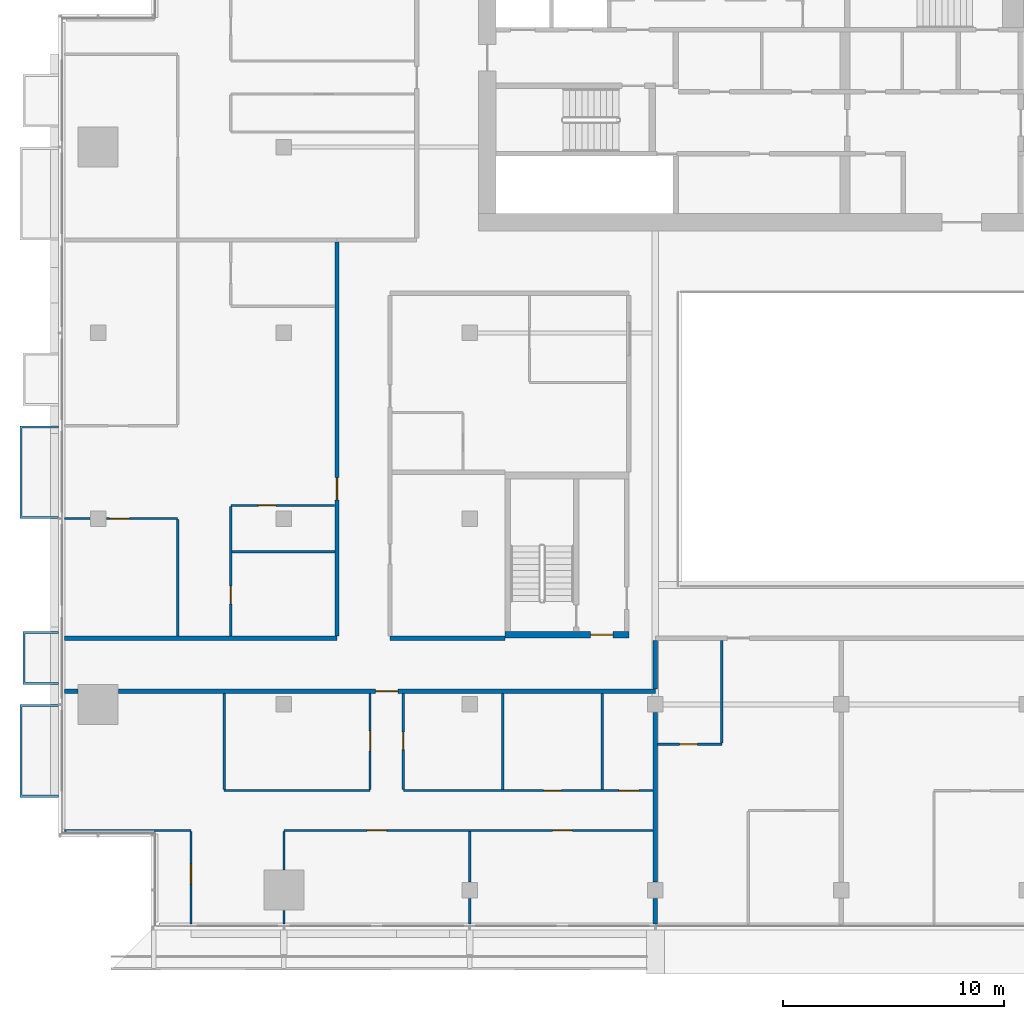
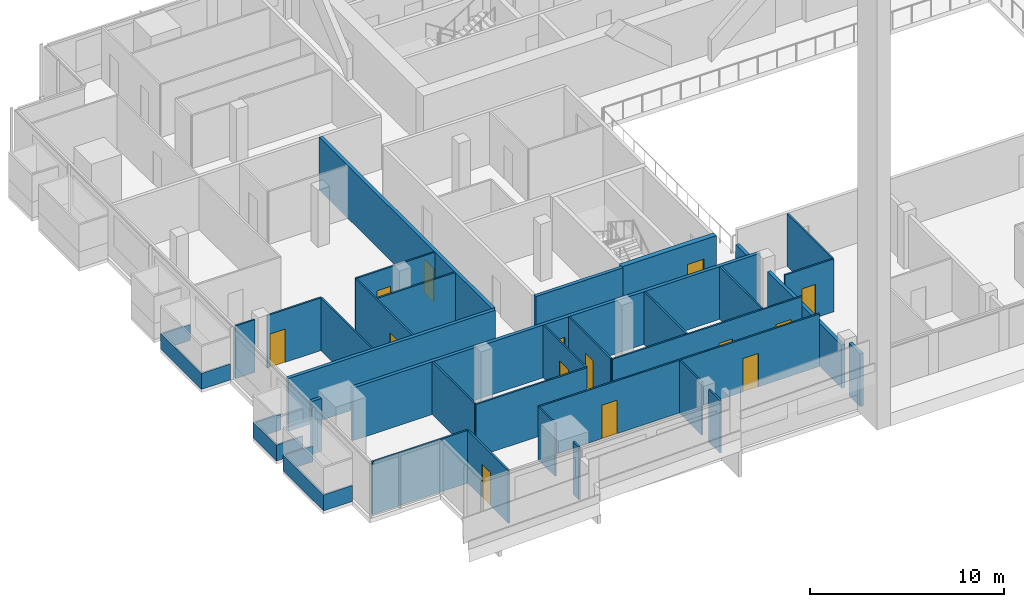
# One storey, part 18 of 31: 34 walls, 14 doors, 14 openings.
"""IFC4 building model written with IfcOpenShell, lengths in metres."""

from ifc_helpers import new_model, si_unit, direction, frame, frame_2d, origin, place, context, subcontext, project, spatial, polyline, rectangle, outline, extrude, material, layer, layer_set, type_object, element, fill, save


model = new_model("IFC4")

# Units and contexts
model_context = context("Model", 3, precision=1e-05, world=origin(), true_north=direction((0.0, 1.0)))
body_context = subcontext(model_context, "Body", "Model", "MODEL_VIEW")
ifc_project = project(units=[si_unit("LENGTHUNIT", "METRE"), si_unit("AREAUNIT", "SQUARE_METRE"), si_unit("VOLUMEUNIT", "CUBIC_METRE"), si_unit("PLANEANGLEUNIT", "RADIAN"), si_unit("MASSUNIT", "GRAM", prefix="KILO")], contexts=[model_context])

# Site, building, storey
site_placement = place(None, origin())
site = spatial("IfcSite", under=ifc_project, at=site_placement, CompositionType="ELEMENT")
building_placement = place(site_placement, origin())
building = spatial("IfcBuilding", under=site, at=building_placement, Name="Saffron Gate Tower", CompositionType="ELEMENT")
storey_placement = place(building_placement, frame((0.0, 0.0, 147.449951171875)))
storey = spatial("IfcBuildingStorey", under=building, at=storey_placement, Name="L35", CompositionType="ELEMENT", Elevation=147.449951171875)

# Wall, opening, door
ifc_material_1 = material(Name="Concrete C60", Category="concrete")
ifc_layer_1 = layer(ifc_material_1, 0.300048828125)
ifc_layer_set_1 = layer_set([ifc_layer_1], Name="CW17 RC core wall 300 C60")
wall_type_1 = type_object("IfcWallType", Name="CW17 RC core wall 300 C60", PredefinedType="SOLIDWALL", material=ifc_layer_set_1)
wall_1_placement = place(storey_placement, frame((68.199951171875, 43.35009765625, 0.0), z_axis=(0.0, 0.0, 1.0), x_axis=(1.0, 0.0, 0.0)))
wall_1 = element("IfcWall", 1, at=wall_1_placement, inside=storey, type_object=wall_type_1, Name="Wall CW17-L35-D-1", PredefinedType="SOLIDWALL", context=body_context, shape_type="SweptSolid", body=[
    extrude(rectangle(XDim=5.60009765625, YDim=0.300048828125, at=frame_2d((2.800048828125, 0.0))), origin(), (0.0, 0.0, 1.0), 3.320068359375),
])
opening_1_placement = place(wall_1_placement, frame((3.875, 0.0, 0.0)))
opening_1 = element("IfcOpeningElement", 2, at=opening_1_placement, cuts=wall_1, Name="Opening CR-18", PredefinedType="OPENING", context=body_context, shape_type="SweptSolid", body=[
    extrude(rectangle(XDim=1.0, YDim=2.10009765625, at=frame_2d((0.5, 1.050048828125))), frame((0.0, 0.16015625, 0.0), z_axis=(0.0, -1.0, 0.0), x_axis=(1.0, 0.0, 0.0)), (0.0, 0.0, 1.0), 0.320068359375),
])
ifc_material_2 = material(Name="Steel fire door set", Category="steel")
door_type_1 = type_object("IfcDoorType", Name="CD4 Lobby door 1000x2100 EI 120", OperationType="NOTDEFINED", PredefinedType="DOOR", material=ifc_material_2)
door_1_placement = place(opening_1_placement, origin())
door_1 = element("IfcDoor", 3, at=door_1_placement, inside=storey, type_object=door_type_1, Name="DOOR CR-18", OperationType="SINGLE_SWING_RIGHT", OverallHeight=2.10009765625, OverallWidth=1.0, PredefinedType="DOOR", context=body_context, shape_type="SweptSolid", body=[
    extrude(rectangle(XDim=1.0, YDim=2.10009765625, at=frame_2d((0.5, 1.050048828125))), frame((0.0, 0.02490234375, 0.0), z_axis=(0.0, -1.0, 0.0), x_axis=(1.0, 0.0, 0.0)), (0.0, 0.0, 1.0), 0.050048828125),
])
fill(opening_1, door_1)

# Wall
ifc_material_3 = material(Name="Plasterboard on steel studs", Category="steel")
ifc_layer_2 = layer(ifc_material_3, 0.10009765625)
ifc_layer_set_2 = layer_set([ifc_layer_2], Name="PW1 Partition 100")
wall_type_2 = type_object("IfcWallType", Name="PW1 Partition 100", PredefinedType="PARTITIONING", material=ifc_layer_set_2)
wall_2_placement = place(storey_placement, frame((48.280029296875, 34.5, 0.0), z_axis=(0.0, 0.0, 1.0), x_axis=(1.0, 0.0, 0.0)))
element("IfcWall", 4, at=wall_2_placement, inside=storey, type_object=wall_type_2, Name="Partition C1-1", PredefinedType="PARTITIONING", context=body_context, shape_type="SweptSolid", body=[
    extrude(rectangle(XDim=5.719970703125, YDim=0.10009765625, at=frame_2d((2.85986328125, 0.0))), origin(), (0.0, 0.0, 1.0), 3.320068359375),
])

# Wall, openings, doors
wall_3_placement = place(storey_placement, frame((74.89990234375, 34.5, 0.0), z_axis=(0.0, 0.0, 1.0), x_axis=(-1.0, 0.0, 0.0)))
wall_3 = element("IfcWall", 5, at=wall_3_placement, inside=storey, type_object=wall_type_2, Name="Partition C1-2", PredefinedType="PARTITIONING", context=body_context, shape_type="SweptSolid", body=[
    extrude(rectangle(XDim=16.699951171875, YDim=0.10009765625, at=frame_2d((8.35009765625, 0.0))), origin(), (0.0, 0.0, 1.0), 3.320068359375),
])
opening_2_placement = place(wall_3_placement, frame((3.64990234375, 0.0, 0.0)))
opening_2 = element("IfcOpeningElement", 6, at=opening_2_placement, cuts=wall_3, Name="Opening C1-13", PredefinedType="OPENING", context=body_context, shape_type="SweptSolid", body=[
    extrude(rectangle(XDim=0.89990234375, YDim=2.10009765625, at=frame_2d((0.449951171875, 1.050048828125))), frame((0.0, 0.06005859375, 0.0), z_axis=(0.0, -1.0, 0.0), x_axis=(1.0, 0.0, 0.0)), (0.0, 0.0, 1.0), 0.1201171875),
])
opening_3_placement = place(wall_3_placement, frame((12.050048828125, 0.0, 0.0)))
opening_3 = element("IfcOpeningElement", 7, at=opening_3_placement, cuts=wall_3, Name="Opening C1-12", PredefinedType="OPENING", context=body_context, shape_type="SweptSolid", body=[
    extrude(rectangle(XDim=0.89990234375, YDim=2.10009765625, at=frame_2d((0.449951171875, 1.050048828125))), frame((0.0, 0.06005859375, 0.0), z_axis=(0.0, -1.0, 0.0), x_axis=(1.0, 0.0, 0.0)), (0.0, 0.0, 1.0), 0.1201171875),
])
ifc_material_4 = material(Name="Timber door set", Category="wood")
door_type_2 = type_object("IfcDoorType", Name="RD1 Room door 900x2100", OperationType="NOTDEFINED", PredefinedType="DOOR", material=ifc_material_4)
door_2_placement = place(opening_2_placement, origin())
door_2 = element("IfcDoor", 8, at=door_2_placement, inside=storey, type_object=door_type_2, Name="Door C1-13", OperationType="SINGLE_SWING_LEFT", OverallHeight=2.10009765625, OverallWidth=0.89990234375, PredefinedType="DOOR", context=body_context, shape_type="SweptSolid", body=[
    extrude(rectangle(XDim=0.89990234375, YDim=2.10009765625, at=frame_2d((0.449951171875, 1.050048828125))), frame((0.0, 0.02490234375, 0.0), z_axis=(0.0, -1.0, 0.0), x_axis=(1.0, 0.0, 0.0)), (0.0, 0.0, 1.0), 0.050048828125),
])
fill(opening_2, door_2)
door_3_placement = place(opening_3_placement, origin())
door_3 = element("IfcDoor", 9, at=door_3_placement, inside=storey, type_object=door_type_2, Name="Door C1-12", OperationType="SINGLE_SWING_RIGHT", OverallHeight=2.10009765625, OverallWidth=0.89990234375, PredefinedType="DOOR", context=body_context, shape_type="SweptSolid", body=[
    extrude(rectangle(XDim=0.89990234375, YDim=2.10009765625, at=frame_2d((0.449951171875, 1.050048828125))), frame((0.0, 0.02490234375, 0.0), z_axis=(0.0, -1.0, 0.0), x_axis=(1.0, 0.0, 0.0)), (0.0, 0.0, 1.0), 0.050048828125),
])
fill(opening_3, door_3)

# Wall
wall_4_placement = place(storey_placement, frame((55.5, 36.300048828125, 0.0), z_axis=(0.0, 0.0, 1.0), x_axis=(1.0, 0.0, 0.0)))
element("IfcWall", 10, at=wall_4_placement, inside=storey, type_object=wall_type_2, Name="Partition C1-6", PredefinedType="PARTITIONING", context=body_context, shape_type="SweptSolid", body=[
    extrude(rectangle(XDim=6.60009765625, YDim=0.10009765625, at=frame_2d((3.300048828125, 0.0))), origin(), (0.0, 0.0, 1.0), 3.320068359375),
])

# Wall, openings, doors
wall_5_placement = place(storey_placement, frame((63.60009765625, 36.300048828125, 0.0), z_axis=(0.0, 0.0, 1.0), x_axis=(1.0, 0.0, 0.0)))
wall_5 = element("IfcWall", 11, at=wall_5_placement, inside=storey, type_object=wall_type_2, Name="Partition C1-7", PredefinedType="PARTITIONING", context=body_context, shape_type="SweptSolid", body=[
    extrude(rectangle(XDim=11.2998046875, YDim=0.10009765625, at=frame_2d((5.64990234375, 0.0))), origin(), (0.0, 0.0, 1.0), 3.320068359375),
])
opening_4_placement = place(wall_5_placement, frame((6.35009765625, 0.0, 0.0)))
opening_4 = element("IfcOpeningElement", 12, at=opening_4_placement, cuts=wall_5, Name="Opening C1-40", PredefinedType="OPENING", context=body_context, shape_type="SweptSolid", body=[
    extrude(rectangle(XDim=0.800048828125, YDim=2.10009765625, at=frame_2d((0.39990234375, 1.050048828125))), frame((0.0, 0.06005859375, 0.0), z_axis=(0.0, -1.0, 0.0), x_axis=(1.0, 0.0, 0.0)), (0.0, 0.0, 1.0), 0.1201171875),
])
opening_5_placement = place(wall_5_placement, frame((9.75, 0.0, 0.0)))
opening_5 = element("IfcOpeningElement", 13, at=opening_5_placement, cuts=wall_5, Name="Opening C1-15", PredefinedType="OPENING", context=body_context, shape_type="SweptSolid", body=[
    extrude(rectangle(XDim=0.89990234375, YDim=2.10009765625, at=frame_2d((0.449951171875, 1.050048828125))), frame((0.0, 0.06005859375, 0.0), z_axis=(0.0, -1.0, 0.0), x_axis=(1.0, 0.0, 0.0)), (0.0, 0.0, 1.0), 0.1201171875),
])
door_4_placement = place(opening_5_placement, origin())
door_4 = element("IfcDoor", 14, at=door_4_placement, inside=storey, type_object=door_type_2, Name="Door C1-15", OperationType="SINGLE_SWING_RIGHT", OverallHeight=2.10009765625, OverallWidth=0.89990234375, PredefinedType="DOOR", context=body_context, shape_type="SweptSolid", body=[
    extrude(rectangle(XDim=0.89990234375, YDim=2.10009765625, at=frame_2d((0.449951171875, 1.050048828125))), frame((0.0, 0.02490234375, 0.0), z_axis=(0.0, -1.0, 0.0), x_axis=(1.0, 0.0, 0.0)), (0.0, 0.0, 1.0), 0.050048828125),
])
fill(opening_5, door_4)
door_type_3 = type_object("IfcDoorType", Name="RD2 Bathroom door 800x2100", OperationType="NOTDEFINED", PredefinedType="DOOR", material=ifc_material_4)
door_5_placement = place(opening_4_placement, origin())
door_5 = element("IfcDoor", 15, at=door_5_placement, inside=storey, type_object=door_type_3, Name="Door C1-40", OperationType="SINGLE_SWING_RIGHT", OverallHeight=2.10009765625, OverallWidth=0.800048828125, PredefinedType="DOOR", context=body_context, shape_type="SweptSolid", body=[
    extrude(rectangle(XDim=0.800048828125, YDim=2.10009765625, at=frame_2d((0.39990234375, 1.050048828125))), frame((0.0, 0.02490234375, 0.0), z_axis=(0.0, -1.0, 0.0), x_axis=(1.0, 0.0, 0.0)), (0.0, 0.0, 1.0), 0.050048828125),
])
fill(opening_4, door_5)

# Wall, opening, door
wall_6_placement = place(storey_placement, frame((75.10009765625, 38.39990234375, 0.0), z_axis=(0.0, 0.0, 1.0), x_axis=(1.0, 0.0, 0.0)))
wall_6 = element("IfcWall", 16, at=wall_6_placement, inside=storey, type_object=wall_type_2, Name="Partition C1-9", PredefinedType="PARTITIONING", context=body_context, shape_type="SweptSolid", body=[
    extrude(rectangle(XDim=2.89990234375, YDim=0.10009765625, at=frame_2d((1.449951171875, 0.0))), origin(), (0.0, 0.0, 1.0), 3.320068359375),
])
opening_6_placement = place(wall_6_placement, frame((1.0, 0.0, 0.0)))
opening_6 = element("IfcOpeningElement", 17, at=opening_6_placement, cuts=wall_6, Name="Opening C1-41", PredefinedType="OPENING", context=body_context, shape_type="SweptSolid", body=[
    extrude(rectangle(XDim=0.800048828125, YDim=2.10009765625, at=frame_2d((0.39990234375, 1.050048828125))), frame((0.0, 0.06005859375, 0.0), z_axis=(0.0, -1.0, 0.0), x_axis=(1.0, 0.0, 0.0)), (0.0, 0.0, 1.0), 0.1201171875),
])
door_6_placement = place(opening_6_placement, origin())
door_6 = element("IfcDoor", 18, at=door_6_placement, inside=storey, type_object=door_type_3, Name="Door C1-41", OperationType="SINGLE_SWING_LEFT", OverallHeight=2.10009765625, OverallWidth=0.800048828125, PredefinedType="DOOR", context=body_context, shape_type="SweptSolid", body=[
    extrude(rectangle(XDim=0.800048828125, YDim=2.10009765625, at=frame_2d((0.39990234375, 1.050048828125))), frame((0.0, 0.02490234375, 0.0), z_axis=(0.0, -1.0, 0.0), x_axis=(1.0, 0.0, 0.0)), (0.0, 0.0, 1.0), 0.050048828125),
])
fill(opening_6, door_6)

# Walls
wall_7_placement = place(storey_placement, frame((55.85009765625, 47.10009765625, 0.0), z_axis=(0.0, 0.0, 1.0), x_axis=(1.0, 0.0, 0.0)))
element("IfcWall", 19, at=wall_7_placement, inside=storey, type_object=wall_type_2, Name="Partition C1-20", PredefinedType="PARTITIONING", context=body_context, shape_type="SweptSolid", body=[
    extrude(rectangle(XDim=4.64990234375, YDim=0.10009765625, at=frame_2d((2.324951171875, 0.0))), origin(), (0.0, 0.0, 1.0), 3.320068359375),
])
wall_8_placement = place(storey_placement, frame((48.280029296875, 48.60009765625, 0.0), z_axis=(0.0, 0.0, 1.0), x_axis=(1.0, 0.0, 0.0)))
element("IfcWall", 20, at=wall_8_placement, inside=storey, type_object=wall_type_2, Name="Partition C1-21", PredefinedType="PARTITIONING", context=body_context, shape_type="SweptSolid", body=[
    extrude(rectangle(XDim=1.14990234375, YDim=0.10009765625, at=frame_2d((0.574951171875, 0.0))), origin(), (0.0, 0.0, 1.0), 3.320068359375),
])

# Wall, opening, door
wall_9_placement = place(storey_placement, frame((53.39990234375, 48.60009765625, 0.0), z_axis=(0.0, 0.0, 1.0), x_axis=(-1.0, 0.0, 0.0)))
wall_9 = element("IfcWall", 21, at=wall_9_placement, inside=storey, type_object=wall_type_2, Name="Partition C1-22", PredefinedType="PARTITIONING", context=body_context, shape_type="SweptSolid", body=[
    extrude(rectangle(XDim=3.22998046875, YDim=0.10009765625, at=frame_2d((1.614990234375, 0.0))), origin(), (0.0, 0.0, 1.0), 3.320068359375),
])
opening_7_placement = place(wall_9_placement, frame((2.179931640625, 0.0, 0.0)))
opening_7 = element("IfcOpeningElement", 22, at=opening_7_placement, cuts=wall_9, Name="Opening C1-25", PredefinedType="OPENING", context=body_context, shape_type="SweptSolid", body=[
    extrude(rectangle(XDim=0.89990234375, YDim=2.10009765625, at=frame_2d((0.449951171875, 1.050048828125))), frame((0.0, 0.06005859375, 0.0), z_axis=(0.0, -1.0, 0.0), x_axis=(1.0, 0.0, 0.0)), (0.0, 0.0, 1.0), 0.1201171875),
])
door_7_placement = place(opening_7_placement, origin())
door_7 = element("IfcDoor", 23, at=door_7_placement, inside=storey, type_object=door_type_2, Name="Door C1-25", OperationType="SINGLE_SWING_RIGHT", OverallHeight=2.10009765625, OverallWidth=0.89990234375, PredefinedType="DOOR", context=body_context, shape_type="SweptSolid", body=[
    extrude(rectangle(XDim=0.89990234375, YDim=2.10009765625, at=frame_2d((0.449951171875, 1.050048828125))), frame((0.0, 0.02490234375, 0.0), z_axis=(0.0, -1.0, 0.0), x_axis=(1.0, 0.0, 0.0)), (0.0, 0.0, 1.0), 0.050048828125),
])
fill(opening_7, door_7)

wall_10_placement = place(storey_placement, frame((60.5, 49.199951171875, 0.0), z_axis=(0.0, 0.0, 1.0), x_axis=(-1.0, 0.0, 0.0)))
wall_10 = element("IfcWall", 24, at=wall_10_placement, inside=storey, type_object=wall_type_2, Name="Partition C1-25", PredefinedType="PARTITIONING", context=body_context, shape_type="SweptSolid", body=[
    extrude(rectangle(XDim=4.699951171875, YDim=0.10009765625, at=frame_2d((2.35009765625, 0.0))), origin(), (0.0, 0.0, 1.0), 3.320068359375),
])
opening_8_placement = place(wall_10_placement, frame((2.64990234375, 0.0, 0.0)))
opening_8 = element("IfcOpeningElement", 25, at=opening_8_placement, cuts=wall_10, Name="Opening C1-47", PredefinedType="OPENING", context=body_context, shape_type="SweptSolid", body=[
    extrude(rectangle(XDim=0.800048828125, YDim=2.10009765625, at=frame_2d((0.39990234375, 1.050048828125))), frame((0.0, 0.06005859375, 0.0), z_axis=(0.0, -1.0, 0.0), x_axis=(1.0, 0.0, 0.0)), (0.0, 0.0, 1.0), 0.1201171875),
])
door_8_placement = place(opening_8_placement, origin())
door_8 = element("IfcDoor", 26, at=door_8_placement, inside=storey, type_object=door_type_3, Name="Door C1-47", OperationType="SINGLE_SWING_RIGHT", OverallHeight=2.10009765625, OverallWidth=0.800048828125, PredefinedType="DOOR", context=body_context, shape_type="SweptSolid", body=[
    extrude(rectangle(XDim=0.800048828125, YDim=2.10009765625, at=frame_2d((0.39990234375, 1.050048828125))), frame((0.0, 0.02490234375, 0.0), z_axis=(0.0, -1.0, 0.0), x_axis=(1.0, 0.0, 0.0)), (0.0, 0.0, 1.0), 0.050048828125),
])
fill(opening_8, door_8)

# Wall
wall_11_placement = place(storey_placement, frame((53.39990234375, 48.550048828125, 0.0), z_axis=(0.0, 0.0, 1.0), x_axis=(0.0, -1.0, 0.0)))
element("IfcWall", 27, at=wall_11_placement, inside=storey, type_object=wall_type_2, Name="Partition C1-57", PredefinedType="PARTITIONING", context=body_context, shape_type="SweptSolid", body=[
    extrude(rectangle(XDim=5.25, YDim=0.10009765625, at=frame_2d((2.625, 0.0))), origin(), (0.0, 0.0, 1.0), 3.320068359375),
])

# Wall, opening, door
wall_12_placement = place(storey_placement, frame((54.0, 30.280029296875, 0.0), z_axis=(0.0, 0.0, 1.0), x_axis=(0.0, 1.0, 0.0)))
wall_12 = element("IfcWall", 28, at=wall_12_placement, inside=storey, type_object=wall_type_2, Name="Partition C1-58", PredefinedType="PARTITIONING", context=body_context, shape_type="SweptSolid", body=[
    extrude(rectangle(XDim=4.169921875, YDim=0.10009765625, at=frame_2d((2.0849609375, 0.0))), origin(), (0.0, 0.0, 1.0), 3.320068359375),
])
opening_9_placement = place(wall_12_placement, frame((1.802734375, 0.0, 0.0)))
opening_9 = element("IfcOpeningElement", 29, at=opening_9_placement, cuts=wall_12, Name="Opening C1-11", PredefinedType="OPENING", context=body_context, shape_type="SweptSolid", body=[
    extrude(rectangle(XDim=0.89990234375, YDim=2.10009765625, at=frame_2d((0.449951171875, 1.050048828125))), frame((0.0, 0.06005859375, 0.0), z_axis=(0.0, -1.0, 0.0), x_axis=(1.0, 0.0, 0.0)), (0.0, 0.0, 1.0), 0.1201171875),
])
door_9_placement = place(opening_9_placement, origin())
door_9 = element("IfcDoor", 30, at=door_9_placement, inside=storey, type_object=door_type_2, Name="Door C1-11", OperationType="SINGLE_SWING_RIGHT", OverallHeight=2.10009765625, OverallWidth=0.89990234375, PredefinedType="DOOR", context=body_context, shape_type="SweptSolid", body=[
    extrude(rectangle(XDim=0.89990234375, YDim=2.10009765625, at=frame_2d((0.449951171875, 1.050048828125))), frame((0.0, 0.02490234375, 0.0), z_axis=(0.0, -1.0, 0.0), x_axis=(1.0, 0.0, 0.0)), (0.0, 0.0, 1.0), 0.050048828125),
])
fill(opening_9, door_9)

# Wall
wall_13_placement = place(storey_placement, frame((55.5, 40.699951171875, 0.0), z_axis=(0.0, 0.0, 1.0), x_axis=(0.0, -1.0, 0.0)))
element("IfcWall", 31, at=wall_13_placement, inside=storey, type_object=wall_type_2, Name="Partition C1-59", PredefinedType="PARTITIONING", context=body_context, shape_type="SweptSolid", body=[
    extrude(rectangle(XDim=4.349853515625, YDim=0.10009765625, at=frame_2d((2.1748046875, 0.0))), origin(), (0.0, 0.0, 1.0), 3.320068359375),
])

# Wall, opening, door
wall_14_placement = place(storey_placement, frame((55.800048828125, 49.14990234375, 0.0), z_axis=(0.0, 0.0, 1.0), x_axis=(0.0, -1.0, 0.0)))
wall_14 = element("IfcWall", 32, at=wall_14_placement, inside=storey, type_object=wall_type_2, Name="Partition C1-60", PredefinedType="PARTITIONING", context=body_context, shape_type="SweptSolid", body=[
    extrude(rectangle(XDim=5.849853515625, YDim=0.10009765625, at=frame_2d((2.9248046875, 0.0))), origin(), (0.0, 0.0, 1.0), 3.320068359375),
])
opening_10_placement = place(wall_14_placement, frame((3.60009765625, 0.0, 0.0)))
opening_10 = element("IfcOpeningElement", 33, at=opening_10_placement, cuts=wall_14, Name="Opening C1-46", PredefinedType="OPENING", context=body_context, shape_type="SweptSolid", body=[
    extrude(rectangle(XDim=0.800048828125, YDim=2.10009765625, at=frame_2d((0.39990234375, 1.050048828125))), frame((0.0, 0.06005859375, 0.0), z_axis=(0.0, -1.0, 0.0), x_axis=(1.0, 0.0, 0.0)), (0.0, 0.0, 1.0), 0.1201171875),
])
door_10_placement = place(opening_10_placement, origin())
door_10 = element("IfcDoor", 34, at=door_10_placement, inside=storey, type_object=door_type_3, Name="Door C1-46", OperationType="SINGLE_SWING_RIGHT", OverallHeight=2.10009765625, OverallWidth=0.800048828125, PredefinedType="DOOR", context=body_context, shape_type="SweptSolid", body=[
    extrude(rectangle(XDim=0.800048828125, YDim=2.10009765625, at=frame_2d((0.39990234375, 1.050048828125))), frame((0.0, 0.02490234375, 0.0), z_axis=(0.0, -1.0, 0.0), x_axis=(1.0, 0.0, 0.0)), (0.0, 0.0, 1.0), 0.050048828125),
])
fill(opening_10, door_10)

# Walls
wall_15_placement = place(storey_placement, frame((58.199951171875, 30.8798828125, 0.0), z_axis=(0.0, 0.0, 1.0), x_axis=(0.0, -1.0, 0.0)))
element("IfcWall", 35, at=wall_15_placement, inside=storey, type_object=wall_type_2, Name="Partition C1-64", PredefinedType="PARTITIONING", context=body_context, shape_type="SweptSolid", body=[
    extrude(rectangle(XDim=0.599853515625, YDim=0.10009765625, at=frame_2d((0.2998046875, 0.0))), origin(), (0.0, 0.0, 1.0), 3.320068359375),
])
wall_16_placement = place(storey_placement, frame((58.199951171875, 34.449951171875, 0.0), z_axis=(0.0, 0.0, 1.0), x_axis=(0.0, -1.0, 0.0)))
element("IfcWall", 36, at=wall_16_placement, inside=storey, type_object=wall_type_2, Name="Partition C1-65", PredefinedType="PARTITIONING", context=body_context, shape_type="SweptSolid", body=[
    extrude(rectangle(XDim=1.72998046875, YDim=0.10009765625, at=frame_2d((0.864990234375, 0.0))), origin(), (0.0, 0.0, 1.0), 3.320068359375),
])

# Wall, opening, door
wall_17_placement = place(storey_placement, frame((62.10009765625, 36.35009765625, 0.0), z_axis=(0.0, 0.0, 1.0), x_axis=(0.0, 1.0, 0.0)))
wall_17 = element("IfcWall", 37, at=wall_17_placement, inside=storey, type_object=wall_type_2, Name="Partition C1-67", PredefinedType="PARTITIONING", context=body_context, shape_type="SweptSolid", body=[
    extrude(rectangle(XDim=4.349853515625, YDim=0.10009765625, at=frame_2d((2.1748046875, 0.0))), origin(), (0.0, 0.0, 1.0), 3.320068359375),
])
opening_11_placement = place(wall_17_placement, frame((1.75, 0.0, 0.0)))
opening_11 = element("IfcOpeningElement", 38, at=opening_11_placement, cuts=wall_17, Name="Opening C1-14", PredefinedType="OPENING", context=body_context, shape_type="SweptSolid", body=[
    extrude(rectangle(XDim=0.89990234375, YDim=2.10009765625, at=frame_2d((0.449951171875, 1.050048828125))), frame((0.0, 0.06005859375, 0.0), z_axis=(0.0, -1.0, 0.0), x_axis=(1.0, 0.0, 0.0)), (0.0, 0.0, 1.0), 0.1201171875),
])
door_11_placement = place(opening_11_placement, origin())
door_11 = element("IfcDoor", 39, at=door_11_placement, inside=storey, type_object=door_type_2, Name="Door C1-14", OperationType="SINGLE_SWING_RIGHT", OverallHeight=2.10009765625, OverallWidth=0.89990234375, PredefinedType="DOOR", context=body_context, shape_type="SweptSolid", body=[
    extrude(rectangle(XDim=0.89990234375, YDim=2.10009765625, at=frame_2d((0.449951171875, 1.050048828125))), frame((0.0, 0.02490234375, 0.0), z_axis=(0.0, -1.0, 0.0), x_axis=(1.0, 0.0, 0.0)), (0.0, 0.0, 1.0), 0.050048828125),
])
fill(opening_11, door_11)

wall_18_placement = place(storey_placement, frame((63.60009765625, 40.699951171875, 0.0), z_axis=(0.0, 0.0, 1.0), x_axis=(0.0, -1.0, 0.0)))
wall_18 = element("IfcWall", 40, at=wall_18_placement, inside=storey, type_object=wall_type_2, Name="Partition C1-69", PredefinedType="PARTITIONING", context=body_context, shape_type="SweptSolid", body=[
    extrude(rectangle(XDim=4.349853515625, YDim=0.10009765625, at=frame_2d((2.1748046875, 0.0))), origin(), (0.0, 0.0, 1.0), 3.320068359375),
])
opening_12_placement = place(wall_18_placement, frame((1.75, 0.0, 0.0)))
opening_12 = element("IfcOpeningElement", 41, at=opening_12_placement, cuts=wall_18, Name="Opening C1-39", PredefinedType="OPENING", context=body_context, shape_type="SweptSolid", body=[
    extrude(rectangle(XDim=0.800048828125, YDim=2.10009765625, at=frame_2d((0.39990234375, 1.050048828125))), frame((0.0, 0.06005859375, 0.0), z_axis=(0.0, -1.0, 0.0), x_axis=(1.0, 0.0, 0.0)), (0.0, 0.0, 1.0), 0.1201171875),
])
door_12_placement = place(opening_12_placement, origin())
door_12 = element("IfcDoor", 42, at=door_12_placement, inside=storey, type_object=door_type_3, Name="Door C1-39", OperationType="SINGLE_SWING_LEFT", OverallHeight=2.10009765625, OverallWidth=0.800048828125, PredefinedType="DOOR", context=body_context, shape_type="SweptSolid", body=[
    extrude(rectangle(XDim=0.800048828125, YDim=2.10009765625, at=frame_2d((0.39990234375, 1.050048828125))), frame((0.0, 0.02490234375, 0.0), z_axis=(0.0, -1.0, 0.0), x_axis=(1.0, 0.0, 0.0)), (0.0, 0.0, 1.0), 0.050048828125),
])
fill(opening_12, door_12)

# Walls
wall_19_placement = place(storey_placement, frame((66.60009765625, 31.429931640625, 0.0), z_axis=(0.0, 0.0, 1.0), x_axis=(0.0, -1.0, 0.0)))
element("IfcWall", 43, at=wall_19_placement, inside=storey, type_object=wall_type_2, Name="Partition C1-72", PredefinedType="PARTITIONING", context=body_context, shape_type="SweptSolid", body=[
    extrude(rectangle(XDim=1.14990234375, YDim=0.10009765625, at=frame_2d((0.574951171875, 0.0))), origin(), (0.0, 0.0, 1.0), 3.320068359375),
])
wall_20_placement = place(storey_placement, frame((66.60009765625, 34.449951171875, 0.0), z_axis=(0.0, 0.0, 1.0), x_axis=(0.0, -1.0, 0.0)))
element("IfcWall", 44, at=wall_20_placement, inside=storey, type_object=wall_type_2, Name="Partition C1-73", PredefinedType="PARTITIONING", context=body_context, shape_type="SweptSolid", body=[
    extrude(rectangle(XDim=2.280029296875, YDim=0.10009765625, at=frame_2d((1.14013671875, 0.0))), origin(), (0.0, 0.0, 1.0), 3.320068359375),
])
for number, where, z_axis, x_axis, name in (
    (45, (68.10009765625, 40.699951171875, 0.0), (0.0, 0.0, 1.0), (0.0, -1.0, 0.0), "Partition C1-74"),
    (46, (72.60009765625, 40.699951171875, 0.0), (0.0, 0.0, 1.0), (0.0, -1.0, 0.0), "Partition C1-76"),
):
    element("IfcWall", number, at=place(storey_placement, frame(where, z_axis=z_axis, x_axis=x_axis)), inside=storey, type_object=wall_type_2, Name=name, PredefinedType="PARTITIONING", context=body_context, shape_type="SweptSolid", body=[
        extrude(rectangle(XDim=4.349853515625, YDim=0.10009765625, at=frame_2d((2.1748046875, 0.0))), origin(), (0.0, 0.0, 1.0), 3.320068359375),
    ])
wall_21_placement = place(storey_placement, frame((78.0, 43.10009765625, 0.0), z_axis=(0.0, 0.0, 1.0), x_axis=(0.0, -1.0, 0.0)))
element("IfcWall", 47, at=wall_21_placement, inside=storey, type_object=wall_type_2, Name="Partition C1-81", PredefinedType="PARTITIONING", context=body_context, shape_type="SweptSolid", body=[
    extrude(rectangle(XDim=4.650146484375, YDim=0.10009765625, at=frame_2d((2.3251953125, 0.0))), origin(), (0.0, 0.0, 1.0), 3.320068359375),
])
ifc_material_5 = material(Name="Clay brick masonry, rendered", Category="masonry")
ifc_layer_3 = layer(ifc_material_5, 0.199951171875)
ifc_layer_set_3 = layer_set([ifc_layer_3], Name="PW2 Demising wall 200")
wall_type_3 = type_object("IfcWallType", Name="PW2 Demising wall 200", PredefinedType="PARTITIONING", material=ifc_layer_set_3)
wall_22_placement = place(storey_placement, frame((75.0, 31.429931640625, 0.0), z_axis=(0.0, 0.0, 1.0), x_axis=(0.0, -1.0, 0.0)))
element("IfcWall", 48, at=wall_22_placement, inside=storey, type_object=wall_type_3, Name="Wall C1-79", PredefinedType="PARTITIONING", context=body_context, shape_type="SweptSolid", body=[
    extrude(rectangle(XDim=1.14990234375, YDim=0.199951171875, at=frame_2d((0.574951171875, 0.0))), origin(), (0.0, 0.0, 1.0), 3.320068359375),
])
wall_23_placement = place(storey_placement, frame((75.0, 39.830078125, 0.0), z_axis=(0.0, 0.0, 1.0), x_axis=(0.0, -1.0, 0.0)))
element("IfcWall", 49, at=wall_23_placement, inside=storey, type_object=wall_type_3, Name="Wall C1-80", PredefinedType="PARTITIONING", context=body_context, shape_type="SweptSolid", body=[
    extrude(rectangle(XDim=7.66015625, YDim=0.199951171875, at=frame_2d((3.830078125, 0.0))), origin(), (0.0, 0.0, 1.0), 2.719970703125),
])
ifc_layer_4 = layer(ifc_material_5, 0.199951171875)
ifc_layer_set_4 = layer_set([ifc_layer_4], Name="PW3 Corridor wall 200")
wall_type_4 = type_object("IfcWallType", Name="PW3 Corridor wall 200", PredefinedType="PARTITIONING", material=ifc_layer_set_4)
wall_24_placement = place(storey_placement, frame((48.280029296875, 40.800048828125, 0.0), z_axis=(0.0, 0.0, 1.0), x_axis=(1.0, 0.0, 0.0)))
element("IfcWall", 50, at=wall_24_placement, inside=storey, type_object=wall_type_4, Name="Wall C1-11", PredefinedType="PARTITIONING", context=body_context, shape_type="SweptSolid", body=[
    extrude(rectangle(XDim=0.599853515625, YDim=0.199951171875, at=frame_2d((0.2998046875, 0.0))), origin(), (0.0, 0.0, 1.0), 3.320068359375),
])

# Wall, opening, door
wall_25_placement = place(storey_placement, frame((75.0, 40.800048828125, 0.0), z_axis=(0.0, 0.0, 1.0), x_axis=(-1.0, 0.0, 0.0)))
wall_25 = element("IfcWall", 51, at=wall_25_placement, inside=storey, type_object=wall_type_4, Name="Wall C1-12", PredefinedType="PARTITIONING", context=body_context, shape_type="SweptSolid", body=[
    extrude(rectangle(XDim=24.280029296875, YDim=0.199951171875, at=frame_2d((12.14013671875, 0.0))), origin(), (0.0, 0.0, 1.0), 3.320068359375),
])
opening_13_placement = place(wall_25_placement, frame((11.64990234375, 0.0, 0.0)))
opening_13 = element("IfcOpeningElement", 52, at=opening_13_placement, cuts=wall_25, Name="Opening C1-1", PredefinedType="OPENING", context=body_context, shape_type="SweptSolid", body=[
    extrude(rectangle(XDim=1.0, YDim=2.10009765625, at=frame_2d((0.5, 1.050048828125))), frame((0.0, 0.10986328125, 0.0), z_axis=(0.0, -1.0, 0.0), x_axis=(1.0, 0.0, 0.0)), (0.0, 0.0, 1.0), 0.219970703125),
])
ifc_material_6 = material(Name="Timber fire door set", Category="wood")
door_type_4 = type_object("IfcDoorType", Name="FD1 Flat entry door 1000x2100", OperationType="NOTDEFINED", PredefinedType="DOOR", material=ifc_material_6)
door_13_placement = place(opening_13_placement, origin())
door_13 = element("IfcDoor", 53, at=door_13_placement, inside=storey, type_object=door_type_4, Name="Door C1-1", OperationType="SINGLE_SWING_LEFT", OverallHeight=2.10009765625, OverallWidth=1.0, PredefinedType="DOOR", context=body_context, shape_type="SweptSolid", body=[
    extrude(rectangle(XDim=1.0, YDim=2.10009765625, at=frame_2d((0.5, 1.050048828125))), frame((0.0, 0.02490234375, 0.0), z_axis=(0.0, -1.0, 0.0), x_axis=(1.0, 0.0, 0.0)), (0.0, 0.0, 1.0), 0.050048828125),
])
fill(opening_13, door_13)

# Walls
wall_26_placement = place(storey_placement, frame((48.280029296875, 43.199951171875, 0.0), z_axis=(0.0, 0.0, 1.0), x_axis=(1.0, 0.0, 0.0)))
element("IfcWall", 54, at=wall_26_placement, inside=storey, type_object=wall_type_4, Name="Wall C1-15", PredefinedType="PARTITIONING", context=body_context, shape_type="SweptSolid", body=[
    extrude(rectangle(XDim=12.320068359375, YDim=0.199951171875, at=frame_2d((6.16015625, 0.0))), origin(), (0.0, 0.0, 1.0), 3.320068359375),
])
wall_27_placement = place(storey_placement, frame((63.0, 43.199951171875, 0.0), z_axis=(0.0, 0.0, 1.0), x_axis=(1.0, 0.0, 0.0)))
element("IfcWall", 55, at=wall_27_placement, inside=storey, type_object=wall_type_4, Name="Wall C1-16", PredefinedType="PARTITIONING", context=body_context, shape_type="SweptSolid", body=[
    extrude(rectangle(XDim=5.199951171875, YDim=0.199951171875, at=frame_2d((2.60009765625, 0.0))), origin(), (0.0, 0.0, 1.0), 3.320068359375),
])

# Wall, opening, door
wall_28_placement = place(storey_placement, frame((60.60009765625, 43.300048828125, 0.0), z_axis=(0.0, 0.0, 1.0), x_axis=(0.0, 1.0, 0.0)))
wall_28 = element("IfcWall", 56, at=wall_28_placement, inside=storey, type_object=wall_type_4, Name="Wall C1-66", PredefinedType="PARTITIONING", context=body_context, shape_type="SweptSolid", body=[
    extrude(rectangle(XDim=17.800048828125, YDim=0.199951171875, at=frame_2d((8.89990234375, 0.0))), origin(), (0.0, 0.0, 1.0), 3.320068359375),
])
opening_14_placement = place(wall_28_placement, frame((6.14990234375, 0.0, 0.0)))
opening_14 = element("IfcOpeningElement", 57, at=opening_14_placement, cuts=wall_28, Name="Opening C1-5", PredefinedType="OPENING", context=body_context, shape_type="SweptSolid", body=[
    extrude(rectangle(XDim=1.0, YDim=2.10009765625, at=frame_2d((0.5, 1.050048828125))), frame((0.0, 0.10986328125, 0.0), z_axis=(0.0, -1.0, 0.0), x_axis=(1.0, 0.0, 0.0)), (0.0, 0.0, 1.0), 0.219970703125),
])
door_14_placement = place(opening_14_placement, origin())
door_14 = element("IfcDoor", 58, at=door_14_placement, inside=storey, type_object=door_type_4, Name="Door C1-5", OperationType="SINGLE_SWING_RIGHT", OverallHeight=2.10009765625, OverallWidth=1.0, PredefinedType="DOOR", context=body_context, shape_type="SweptSolid", body=[
    extrude(rectangle(XDim=1.0, YDim=2.10009765625, at=frame_2d((0.5, 1.050048828125))), frame((0.0, 0.02490234375, 0.0), z_axis=(0.0, -1.0, 0.0), x_axis=(1.0, 0.0, 0.0)), (0.0, 0.0, 1.0), 0.050048828125),
])
fill(opening_14, door_14)

# Walls
wall_29_placement = place(storey_placement, frame((75.0, 43.10009765625, 0.0), z_axis=(0.0, 0.0, 1.0), x_axis=(0.0, -1.0, 0.0)))
element("IfcWall", 59, at=wall_29_placement, inside=storey, type_object=wall_type_4, Name="Wall C1-78", PredefinedType="PARTITIONING", context=body_context, shape_type="SweptSolid", body=[
    extrude(rectangle(XDim=2.2001953125, YDim=0.199951171875, at=frame_2d((1.10009765625, 0.0))), origin(), (0.0, 0.0, 1.0), 2.429931640625),
])
ifc_material_7 = material(Name="Rendered insulated panel, white")
ifc_layer_5 = layer(ifc_material_7, 0.10009765625)
ifc_layer_set_5 = layer_set([ifc_layer_5], Name="WB3 box parapet white")
wall_type_5 = type_object("IfcWallType", Name="WB3 box parapet white", PredefinedType="SOLIDWALL", material=ifc_layer_set_5)
wall_30_placement = place(storey_placement, origin())
element("IfcWall", 60, at=wall_30_placement, inside=storey, type_object=wall_type_5, Name="WINDOW BOX parapet", PredefinedType="SOLIDWALL", context=body_context, shape_type="SweptSolid", body=[
    extrude(outline(polyline([(48.0, 52.800048828125), (48.0, 52.699951171875), (46.366943359375, 52.699951171875), (46.366943359375, 48.699951171875), (48.0, 48.699951171875), (48.0, 48.60009765625), (46.26708984375, 48.60009765625), (46.26708984375, 52.800048828125), (48.0, 52.800048828125)])), origin(), (0.0, 0.0, 1.0), 1.0),
])
wall_31_placement = place(storey_placement, origin())
element("IfcWall", 61, at=wall_31_placement, inside=storey, type_object=wall_type_5, Name="WINDOW BOX parapet", PredefinedType="SOLIDWALL", context=body_context, shape_type="SweptSolid", body=[
    extrude(outline(polyline([(48.0, 43.5), (48.0, 43.39990234375), (46.5, 43.39990234375), (46.5, 41.199951171875), (48.0, 41.199951171875), (48.0, 41.10009765625), (46.39990234375, 41.10009765625), (46.39990234375, 43.5), (48.0, 43.5)])), origin(), (0.0, 0.0, 1.0), 1.0),
])
wall_32_placement = place(storey_placement, origin())
element("IfcWall", 62, at=wall_32_placement, inside=storey, type_object=wall_type_5, Name="WINDOW BOX parapet", PredefinedType="SOLIDWALL", context=body_context, shape_type="SweptSolid", body=[
    extrude(outline(polyline([(48.0, 40.199951171875), (48.0, 40.10009765625), (46.366943359375, 40.10009765625), (46.366943359375, 36.10009765625), (48.0, 36.10009765625), (48.0, 36.0), (46.26708984375, 36.0), (46.26708984375, 40.199951171875), (48.0, 40.199951171875)])), origin(), (0.0, 0.0, 1.0), 1.0),
])

save(model, "model.ifc")
